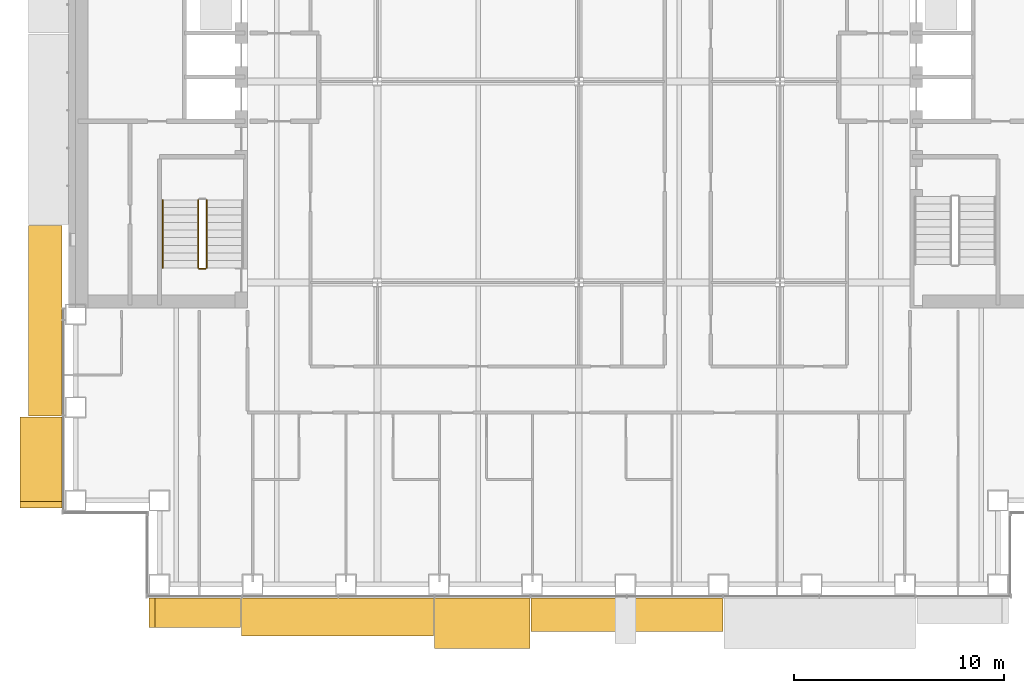
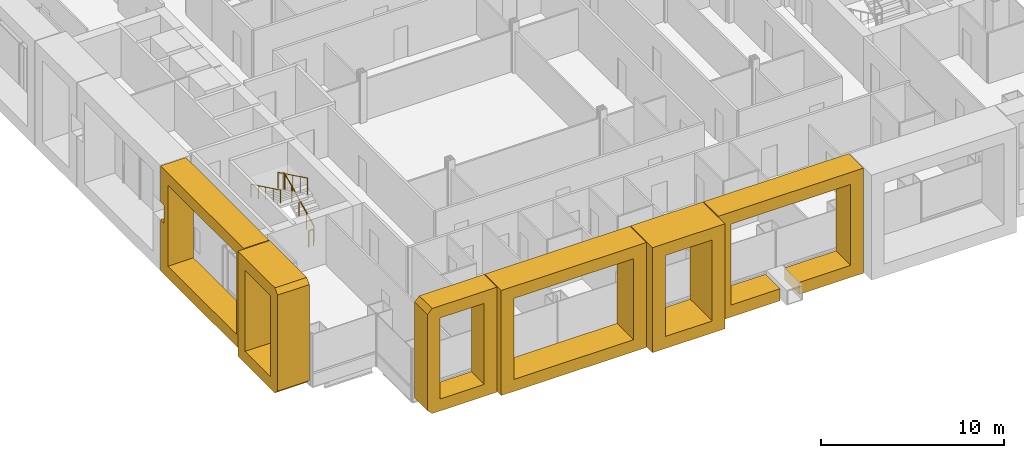
# One storey, part 20 of 25: 6 coverings, 4 railings.
"""IFC4 building model written with IfcOpenShell, lengths in metres."""

from ifc_helpers import new_model, si_unit, direction, frame, origin, origin_2d, place, context, subcontext, project, spatial, polyline, circle, outline, extrude, material, type_object, element, save


model = new_model("IFC4")

# Units and contexts
model_context = context("Model", 3, precision=1e-05, world=origin(), true_north=direction((0.0, 1.0)))
body_context = subcontext(model_context, "Body", "Model", "MODEL_VIEW")
ifc_project = project(units=[si_unit("LENGTHUNIT", "METRE"), si_unit("AREAUNIT", "SQUARE_METRE"), si_unit("VOLUMEUNIT", "CUBIC_METRE"), si_unit("PLANEANGLEUNIT", "RADIAN"), si_unit("MASSUNIT", "GRAM", prefix="KILO")], contexts=[model_context])

# Site, building, storey
site_placement = place(None, origin())
site = spatial("IfcSite", under=ifc_project, at=site_placement, CompositionType="ELEMENT")
building_placement = place(site_placement, origin())
building = spatial("IfcBuilding", under=site, at=building_placement, Name="Cobrizo Arcos Hotel Tower", CompositionType="ELEMENT")
storey_placement = place(building_placement, frame((0.0, 0.0, 53.0)))
storey = spatial("IfcBuildingStorey", under=building, at=storey_placement, Name="L11", CompositionType="ELEMENT", Elevation=53.0)

# Coverings
ifc_material_1 = material(Name="Aluminium 6063-T6 anodised bronze", Category="aluminium")
covering_type_1 = type_object("IfcCoveringType", Name="FIN-F 1400", PredefinedType="CLADDING", material=ifc_material_1)
covering_1_placement = place(storey_placement, frame((-20.5, -24.64990234375, 0.0), z_axis=(0.0, -1.0, 0.0), x_axis=(1.0, 0.0, 0.0)))
element("IfcCovering", 1, at=covering_1_placement, inside=storey, type_object=covering_type_1, Name="Fin frame 49", PredefinedType="CLADDING", context=body_context, shape_type="SweptSolid", body=[
    extrude(outline(polyline([(0.0, 0.300048828125), (0.300048828125, 0.0), (4.375, 0.0), (4.375, 7.0), (0.300048828125, 7.0), (0.0, 6.699951171875), (0.0, 0.300048828125)]), holes=[polyline([(3.574951171875, 0.800048828125), (0.800048828125, 0.800048828125), (0.800048828125, 6.199951171875), (3.574951171875, 6.199951171875), (3.574951171875, 0.800048828125)])]), origin(), (0.0, 0.0, 1.0), 1.400146484375),
])
covering_type_2 = type_object("IfcCoveringType", Name="FIN-F 1600", PredefinedType="CLADDING", material=ifc_material_1)
covering_2_placement = place(storey_placement, frame((-2.27490234375, -24.64990234375, 0.0), z_axis=(0.0, -1.0, 0.0), x_axis=(1.0, 0.0, 0.0)))
element("IfcCovering", 2, at=covering_2_placement, inside=storey, type_object=covering_type_2, Name="Fin frame 52", PredefinedType="CLADDING", context=body_context, shape_type="SweptSolid", body=[
    extrude(outline(polyline([(0.0, 0.0), (3.895263671875, 0.0), (3.895263671875, 0.800048828125), (0.800048828125, 0.800048828125), (0.800048828125, 6.199951171875), (8.35009765625, 6.199951171875), (8.35009765625, 0.800048828125), (5.09912109375, 0.800048828125), (5.09912109375, 0.0), (9.14990234375, 0.0), (9.14990234375, 7.0), (0.0, 7.0), (0.0, 0.0)])), origin(), (0.0, 0.0, 1.0), 1.60009765625),
])
covering_3_placement = place(storey_placement, frame((-24.64990234375, -6.875, 0.0), z_axis=(-1.0, 0.0, 0.0), x_axis=(0.0, -1.0, 0.0)))
element("IfcCovering", 3, at=covering_3_placement, inside=storey, type_object=covering_type_2, Name="Fin frame 73", PredefinedType="CLADDING", context=body_context, shape_type="SweptSolid", body=[
    extrude(outline(polyline([(0.0, 7.0), (0.0, 4.60205078125), (0.393798828125, 4.60205078125), (0.393798828125, 3.39794921875), (0.0, 3.39794921875), (0.0, 0.0), (9.083251953125, 0.0), (9.083251953125, 7.0), (0.0, 7.0)]), holes=[polyline([(8.283203125, 0.800048828125), (0.800048828125, 0.800048828125), (0.800048828125, 6.199951171875), (8.283203125, 6.199951171875), (8.283203125, 0.800048828125)])]), origin(), (0.0, 0.0, 1.0), 1.60009765625),
])
covering_type_3 = type_object("IfcCoveringType", Name="FIN-F 1800", PredefinedType="CLADDING", material=ifc_material_1)
covering_4_placement = place(storey_placement, frame((-16.074951171875, -24.64990234375, 0.0), z_axis=(0.0, -1.0, 0.0), x_axis=(1.0, 0.0, 0.0)))
element("IfcCovering", 4, at=covering_4_placement, inside=storey, type_object=covering_type_3, Name="Fin frame 50", PredefinedType="CLADDING", context=body_context, shape_type="SweptSolid", body=[
    extrude(outline(polyline([(0.0, 7.0), (0.0, 0.0), (9.14990234375, 0.0), (9.14990234375, 7.0), (0.0, 7.0)]), holes=[polyline([(8.35009765625, 0.800048828125), (0.800048828125, 0.800048828125), (0.800048828125, 6.199951171875), (8.35009765625, 6.199951171875), (8.35009765625, 0.800048828125)])]), origin(), (0.0, 0.0, 1.0), 1.800048828125),
])
covering_type_4 = type_object("IfcCoveringType", Name="FIN-F 2000", PredefinedType="CLADDING", material=ifc_material_1)
covering_5_placement = place(storey_placement, frame((-24.64990234375, -16.00830078125, 0.0), z_axis=(-1.0, 0.0, 0.0), x_axis=(0.0, -1.0, 0.0)))
element("IfcCovering", 5, at=covering_5_placement, inside=storey, type_object=covering_type_4, Name="Fin frame 74", PredefinedType="CLADDING", context=body_context, shape_type="SweptSolid", body=[
    extrude(outline(polyline([(0.0, 7.0), (0.0, 0.0), (4.041748046875, 0.0), (4.341796875, 0.300048828125), (4.341796875, 6.699951171875), (4.041748046875, 7.0), (0.0, 7.0)]), holes=[polyline([(3.541748046875, 0.800048828125), (0.800048828125, 0.800048828125), (0.800048828125, 6.199951171875), (3.541748046875, 6.199951171875), (3.541748046875, 0.800048828125)])]), origin(), (0.0, 0.0, 1.0), 2.0),
])
covering_type_5 = type_object("IfcCoveringType", Name="FIN-F 2400", PredefinedType="CLADDING", material=ifc_material_1)
covering_6_placement = place(storey_placement, frame((-6.875, -24.64990234375, 0.0), z_axis=(0.0, -1.0, 0.0), x_axis=(1.0, 0.0, 0.0)))
element("IfcCovering", 6, at=covering_6_placement, inside=storey, type_object=covering_type_5, Name="Fin frame 51", PredefinedType="CLADDING", context=body_context, shape_type="SweptSolid", body=[
    extrude(outline(polyline([(0.0, 7.0), (0.0, 0.0), (4.550048828125, 0.0), (4.550048828125, 7.0), (0.0, 7.0)]), holes=[polyline([(3.75, 0.800048828125), (0.800048828125, 0.800048828125), (0.800048828125, 6.199951171875), (3.75, 6.199951171875), (3.75, 0.800048828125)])]), origin(), (0.0, 0.0, 1.0), 2.400146484375),
])

# Railings
ifc_material_2 = material(Name="Stainless steel railing", Category="steel")
railing_type_1 = type_object("IfcRailingType", Name="Stair guard 1100", PredefinedType="GUARDRAIL", material=ifc_material_2)
railing_1_placement = place(storey_placement, frame((-17.75, -8.89990234375, 0.175048828125)))
element("IfcRailing", 7, at=railing_1_placement, inside=storey, type_object=railing_type_1, Name="L11 ST-W stair guard 1", PredefinedType="GUARDRAIL", context=body_context, shape_type="SweptSolid", body=[
    extrude(circle(Radius=0.02392578125, at=origin_2d()), frame((0.0, 0.0, 1.076171875), z_axis=(0.0, 0.899372665325, 0.437182809435), x_axis=(-1.0, 0.0, 0.0)), (0.0, 0.0, 1.0), 3.6025390625),
    extrude(circle(Radius=0.02099609375, at=origin_2d()), origin(), (0.0, 0.0, 1.0), 1.052001953125),
    extrude(circle(Radius=0.02099609375, at=origin_2d()), frame((0.0, 0.81005859375, 0.393798828125)), (0.0, 0.0, 1.0), 1.052001953125),
    extrude(circle(Radius=0.02099609375, at=origin_2d()), frame((0.0, 1.6201171875, 0.78759765625)), (0.0, 0.0, 1.0), 1.052001953125),
    extrude(circle(Radius=0.02099609375, at=origin_2d()), frame((0.0, 2.429931640625, 1.18115234375)), (0.0, 0.0, 1.0), 1.052001953125),
    extrude(circle(Radius=0.02099609375, at=origin_2d()), frame((0.0, 3.239990234375, 1.574951171875)), (0.0, 0.0, 1.0), 1.052001953125),
])
railing_2_placement = place(storey_placement, frame((-18.14990234375, -5.659912109375, 1.925048828125)))
element("IfcRailing", 8, at=railing_2_placement, inside=storey, type_object=railing_type_1, Name="L11 ST-W stair guard 3", PredefinedType="GUARDRAIL", context=body_context, shape_type="SweptSolid", body=[
    extrude(circle(Radius=0.02392578125, at=origin_2d()), frame((0.0, 0.0, 1.076171875), z_axis=(0.0, -0.899372665325, 0.437182809435), x_axis=(1.0, 0.0, 0.0)), (0.0, 0.0, 1.0), 3.6025390625),
    extrude(circle(Radius=0.02099609375, at=origin_2d()), origin(), (0.0, 0.0, 1.0), 1.052001953125),
    extrude(circle(Radius=0.02099609375, at=origin_2d()), frame((0.0, -0.81005859375, 0.393798828125)), (0.0, 0.0, 1.0), 1.052001953125),
    extrude(circle(Radius=0.02099609375, at=origin_2d()), frame((0.0, -1.6201171875, 0.78759765625)), (0.0, 0.0, 1.0), 1.052001953125),
    extrude(circle(Radius=0.02099609375, at=origin_2d()), frame((0.0, -2.429931640625, 1.18115234375)), (0.0, 0.0, 1.0), 1.052001953125),
    extrude(circle(Radius=0.02099609375, at=origin_2d()), frame((0.0, -3.239990234375, 1.574951171875)), (0.0, 0.0, 1.0), 1.052001953125),
])
railing_3_placement = place(storey_placement, frame((-17.800048828125, -8.949951171875, 0.0)))
element("IfcRailing", 9, at=railing_3_placement, inside=storey, type_object=railing_type_1, Name="L11 ST-W stair guard 4", PredefinedType="GUARDRAIL", context=body_context, shape_type="SweptSolid", body=[
    extrude(circle(Radius=0.02392578125, at=origin_2d()), frame((0.0, 0.0, 1.076171875), z_axis=(-1.0, 0.0, 0.0), x_axis=(0.0, -1.0, 0.0)), (0.0, 0.0, 1.0), 0.300048828125),
    extrude(circle(Radius=0.02099609375, at=origin_2d()), origin(), (0.0, 0.0, 1.0), 1.052001953125),
    extrude(circle(Radius=0.02099609375, at=origin_2d()), frame((-0.300048828125, 0.0, 0.0)), (0.0, 0.0, 1.0), 1.052001953125),
])
railing_type_2 = type_object("IfcRailingType", Name="Stair handrail", PredefinedType="HANDRAIL", material=ifc_material_2)
railing_4_placement = place(storey_placement, frame((-19.85009765625, -5.659912109375, 1.925048828125)))
element("IfcRailing", 10, at=railing_4_placement, inside=storey, type_object=railing_type_2, Name="L11 ST-W stair handrail 2", PredefinedType="HANDRAIL", context=body_context, shape_type="SweptSolid", body=[
    extrude(circle(Radius=0.02392578125, at=origin_2d()), frame((0.0, 0.0, 0.8759765625), z_axis=(0.0, -0.899372665325, 0.437182809435), x_axis=(1.0, 0.0, 0.0)), (0.0, 0.0, 1.0), 3.6025390625),
    extrude(circle(Radius=0.02099609375, at=origin_2d()), origin(), (0.0, 0.0, 1.0), 0.851806640625),
    extrude(circle(Radius=0.02099609375, at=origin_2d()), frame((0.0, -0.81005859375, 0.393798828125)), (0.0, 0.0, 1.0), 0.851806640625),
    extrude(circle(Radius=0.02099609375, at=origin_2d()), frame((0.0, -1.6201171875, 0.78759765625)), (0.0, 0.0, 1.0), 0.851806640625),
    extrude(circle(Radius=0.02099609375, at=origin_2d()), frame((0.0, -2.429931640625, 1.18115234375)), (0.0, 0.0, 1.0), 0.851806640625),
    extrude(circle(Radius=0.02099609375, at=origin_2d()), frame((0.0, -3.239990234375, 1.574951171875)), (0.0, 0.0, 1.0), 0.851806640625),
])

save(model, "model.ifc")
